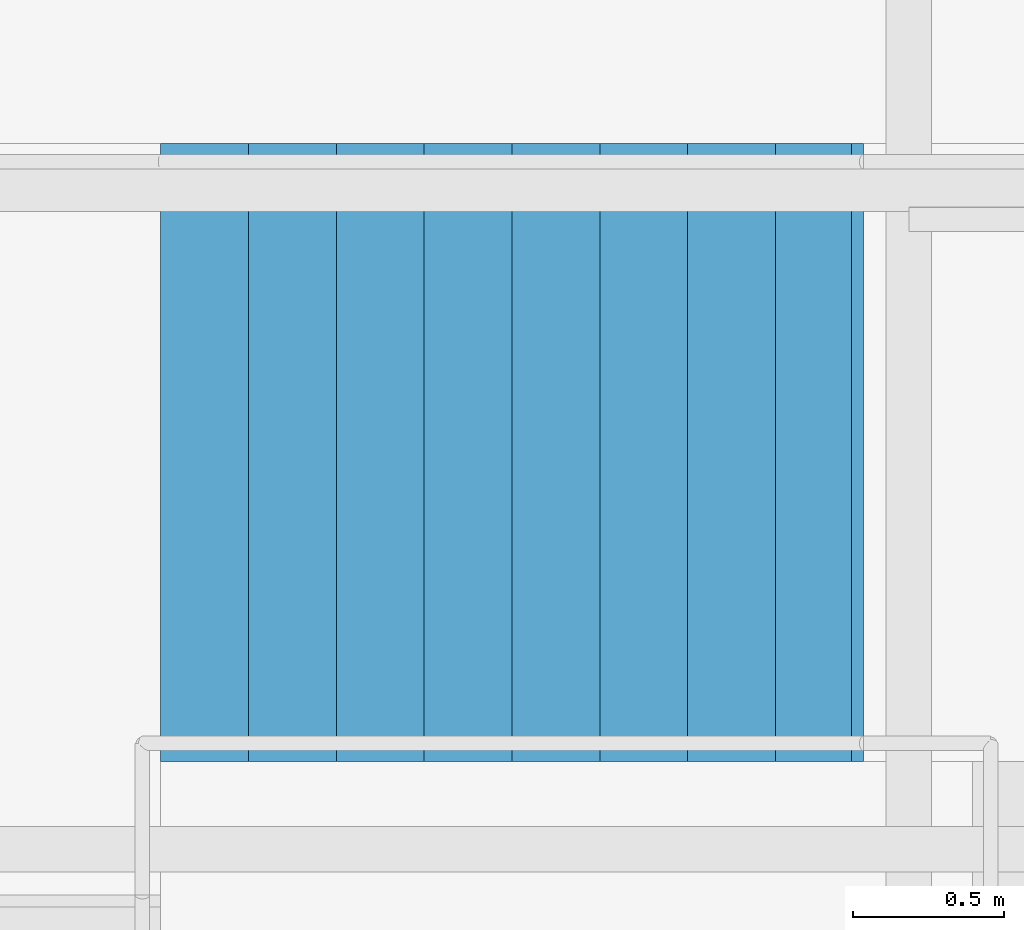
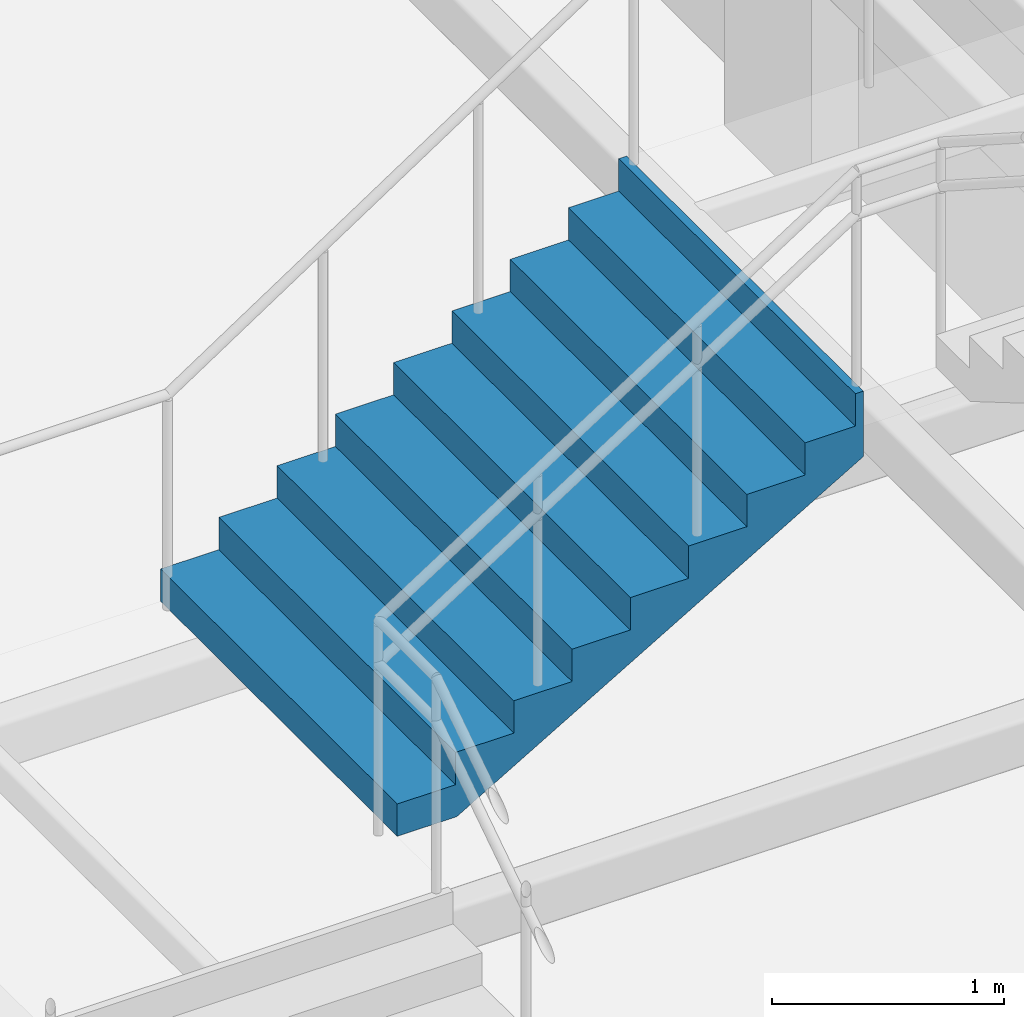
# One storey, part 67 of 69: 1 stair flight, 1 element without a shape of its own.
"""IFC4 building model written with IfcOpenShell, lengths in metres."""

from ifc_helpers import new_model, si_unit, direction, frame, origin, place, context, subcontext, project, spatial, triangles, material, type_object, element, aggregate, save


model = new_model("IFC4")

# Units and contexts
model_context = context("Model", 3, precision=1e-05, world=origin(), true_north=direction((0.0, 1.0)))
body_context = subcontext(model_context, "Body", "Model", "MODEL_VIEW")
ifc_project = project(units=[si_unit("LENGTHUNIT", "METRE"), si_unit("AREAUNIT", "SQUARE_METRE"), si_unit("VOLUMEUNIT", "CUBIC_METRE"), si_unit("PLANEANGLEUNIT", "RADIAN"), si_unit("MASSUNIT", "GRAM", prefix="KILO")], contexts=[model_context])

# Site, building, storey
site_placement = place(None, origin())
site = spatial("IfcSite", under=ifc_project, at=site_placement, CompositionType="ELEMENT")
building_placement = place(site_placement, origin())
building = spatial("IfcBuilding", under=site, at=building_placement, Name="Sillaruma Civic Art Gallery", CompositionType="ELEMENT")
storey_placement = place(building_placement, frame((0.0, 0.0, 42.330078125)))
storey = spatial("IfcBuildingStorey", under=building, at=storey_placement, Name="L08", CompositionType="ELEMENT", Elevation=42.330078125)

# Stair, stair flight
ifc_material = material(Name="Concrete H35 (35 MPa)", Category="concrete")
stair_type = type_object("IfcStairType", Name="STR-3F-27", PredefinedType="TWO_QUARTER_TURN_STAIR", material=ifc_material)
stair_placement = place(storey_placement, origin())
stair = element("IfcStair", 1, at=stair_placement, inside=storey, type_object=stair_type, Name="Monumental Gallery Feature Stair ST-G05 (L08)", PredefinedType="TWO_QUARTER_TURN_STAIR")
stair_flight_type = type_object("IfcStairFlightType", Name="SFL-STR-9", PredefinedType="STRAIGHT", material=ifc_material)
stair_flight_placement = place(storey_placement, frame((86.639892578125, 84.679931640625, 1.530029296875), z_axis=(0.0, 0.0, 1.0), x_axis=(1.0, 0.0, 0.0)))
stair_flight = element("IfcStairFlight", 2, at=stair_flight_placement, type_object=stair_flight_type, Name="ST-G05 flight 2", NumberOfRisers=9, NumberOfTreads=8, PredefinedType="STRAIGHT", RiserHeight=0.17, TreadLength=0.29, context=body_context, shape_type="Tessellation", body=[
    triangles([(0.0, -1.02001953125, 0.0), (0.29, -1.02001953125, 0.0), (0.296482, -1.02001953125, 0.0), (0.58, -1.02001953125, 0.1662), (0.87, -1.02001953125, 0.3362), (1.16, -1.02001953125, 0.5062), (1.45, -1.02001953125, 0.6762), (1.74, -1.02001953125, 0.8462), (2.03, -1.02001953125, 1.0162), (2.280068, -1.02001953125, 1.162792), (2.320068, -1.02001953125, 1.18624), (2.320068, -1.02001953125, 1.53), (2.280068, -1.02001953125, 1.53), (2.280068, -1.02001953125, 1.36), (2.03, -1.02001953125, 1.36), (2.03, -1.02001953125, 1.19), (1.74, -1.02001953125, 1.19), (1.74, -1.02001953125, 1.02), (1.45, -1.02001953125, 1.02), (1.45, -1.02001953125, 0.85), (1.16, -1.02001953125, 0.85), (1.16, -1.02001953125, 0.68), (0.87, -1.02001953125, 0.68), (0.87, -1.02001953125, 0.51), (0.58, -1.02001953125, 0.51), (0.58, -1.02001953125, 0.34), (0.296482, -1.02001953125, 0.34), (0.29, -1.02001953125, 0.34), (0.29, -1.02001953125, 0.17), (0.0, -1.02001953125, 0.17), (0.0, -0.05, 0.0), (0.29, -0.05, 0.0), (0.296482, -0.05, 0.0), (0.58, -0.05, 0.1662), (0.87, -0.05, 0.3362), (1.16, -0.05, 0.5062), (1.45, -0.05, 0.6762), (1.74, -0.05, 0.8462), (2.03, -0.05, 1.0162), (2.280068, -0.05, 1.162792), (2.320068, -0.05, 1.18624), (2.320068, -0.05, 1.53), (2.280068, -0.05, 1.53), (2.280068, -0.05, 1.36), (2.03, -0.05, 1.36), (2.03, -0.05, 1.19), (1.74, -0.05, 1.19), (1.74, -0.05, 1.02), (1.45, -0.05, 1.02), (1.45, -0.05, 0.85), (1.16, -0.05, 0.85), (1.16, -0.05, 0.68), (0.87, -0.05, 0.68), (0.87, -0.05, 0.51), (0.58, -0.05, 0.51), (0.58, -0.05, 0.34), (0.296482, -0.05, 0.34), (0.29, -0.05, 0.34), (0.29, -0.05, 0.17), (0.0, -0.05, 0.17), (0.0, -0.0375, 0.0), (0.29, -0.0375, 0.0), (0.296482, -0.0375, 0.0), (0.58, -0.0375, 0.1662), (0.87, -0.0375, 0.3362), (1.16, -0.0375, 0.5062), (1.45, -0.0375, 0.6762), (1.74, -0.0375, 0.8462), (2.03, -0.0375, 1.0162), (2.280068, -0.0375, 1.162792), (2.320068, -0.0375, 1.18624), (2.320068, -0.0375, 1.53), (2.280068, -0.0375, 1.53), (2.280068, -0.0375, 1.36), (2.03, -0.0375, 1.36), (2.03, -0.0375, 1.19), (1.74, -0.0375, 1.19), (1.74, -0.0375, 1.02), (1.45, -0.0375, 1.02), (1.45, -0.0375, 0.85), (1.16, -0.0375, 0.85), (1.16, -0.0375, 0.68), (0.87, -0.0375, 0.68), (0.87, -0.0375, 0.51), (0.58, -0.0375, 0.51), (0.58, -0.0375, 0.34), (0.296482, -0.0375, 0.34), (0.29, -0.0375, 0.34), (0.29, -0.0375, 0.17), (0.0, -0.0375, 0.17), (0.0, -0.025, 0.0), (0.29, -0.025, 0.0), (0.296482, -0.025, 0.0), (0.58, -0.025, 0.1662), (0.87, -0.025, 0.3362), (1.16, -0.025, 0.5062), (1.45, -0.025, 0.6762), (1.74, -0.025, 0.8462), (2.03, -0.025, 1.0162), (2.280068, -0.025, 1.162792), (2.320068, -0.025, 1.18624), (2.320068, -0.025, 1.53), (2.280068, -0.025, 1.53), (2.280068, -0.025, 1.36), (2.03, -0.025, 1.36), (2.03, -0.025, 1.19), (1.74, -0.025, 1.19), (1.74, -0.025, 1.02), (1.45, -0.025, 1.02), (1.45, -0.025, 0.85), (1.16, -0.025, 0.85), (1.16, -0.025, 0.68), (0.87, -0.025, 0.68), (0.87, -0.025, 0.51), (0.58, -0.025, 0.51), (0.58, -0.025, 0.34), (0.296482, -0.025, 0.34), (0.29, -0.025, 0.34), (0.29, -0.025, 0.17), (0.0, -0.025, 0.17), (0.0, -0.0125, 0.0), (0.29, -0.0125, 0.0), (0.296482, -0.0125, 0.0), (0.58, -0.0125, 0.1662), (0.87, -0.0125, 0.3362), (1.16, -0.0125, 0.5062), (1.45, -0.0125, 0.6762), (1.74, -0.0125, 0.8462), (2.03, -0.0125, 1.0162), (2.280068, -0.0125, 1.162792), (2.320068, -0.0125, 1.18624), (2.320068, -0.0125, 1.53), (2.280068, -0.0125, 1.53), (2.280068, -0.0125, 1.36), (2.03, -0.0125, 1.36), (2.03, -0.0125, 1.19), (1.74, -0.0125, 1.19), (1.74, -0.0125, 1.02), (1.45, -0.0125, 1.02), (1.45, -0.0125, 0.85), (1.16, -0.0125, 0.85), (1.16, -0.0125, 0.68), (0.87, -0.0125, 0.68), (0.87, -0.0125, 0.51), (0.58, -0.0125, 0.51), (0.58, -0.0125, 0.34), (0.296482, -0.0125, 0.34), (0.29, -0.0125, 0.34), (0.29, -0.0125, 0.17), (0.0, -0.0125, 0.17), (0.0, 0.0, 0.0), (0.29, 0.0, 0.0), (0.296482, 0.0, 0.0), (0.58, 0.0, 0.1662), (0.87, 0.0, 0.3362), (1.16, 0.0, 0.5062), (1.45, 0.0, 0.6762), (1.74, 0.0, 0.8462), (2.03, 0.0, 1.0162), (2.280068, 0.0, 1.162792), (2.320068, 0.0, 1.18624), (2.320068, 0.0, 1.53), (2.280068, 0.0, 1.53), (2.280068, 0.0, 1.36), (2.03, 0.0, 1.36), (2.03, 0.0, 1.19), (1.74, 0.0, 1.19), (1.74, 0.0, 1.02), (1.45, 0.0, 1.02), (1.45, 0.0, 0.85), (1.16, 0.0, 0.85), (1.16, 0.0, 0.68), (0.87, 0.0, 0.68), (0.87, 0.0, 0.51), (0.58, 0.0, 0.51), (0.58, 0.0, 0.34), (0.296482, 0.0, 0.34), (0.29, 0.0, 0.34), (0.29, 0.0, 0.17), (0.0, 0.0, 0.17), (0.0, 0.0125, 0.0), (0.29, 0.0125, 0.0), (0.296482, 0.0125, 0.0), (0.58, 0.0125, 0.1662), (0.87, 0.0125, 0.3362), (1.16, 0.0125, 0.5062), (1.45, 0.0125, 0.6762), (1.74, 0.0125, 0.8462), (2.03, 0.0125, 1.0162), (2.280068, 0.0125, 1.162792), (2.320068, 0.0125, 1.18624), (2.320068, 0.0125, 1.53), (2.280068, 0.0125, 1.53), (2.280068, 0.0125, 1.36), (2.03, 0.0125, 1.36), (2.03, 0.0125, 1.19), (1.74, 0.0125, 1.19), (1.74, 0.0125, 1.02), (1.45, 0.0125, 1.02), (1.45, 0.0125, 0.85), (1.16, 0.0125, 0.85), (1.16, 0.0125, 0.68), (0.87, 0.0125, 0.68), (0.87, 0.0125, 0.51), (0.58, 0.0125, 0.51), (0.58, 0.0125, 0.34), (0.296482, 0.0125, 0.34), (0.29, 0.0125, 0.34), (0.29, 0.0125, 0.17), (0.0, 0.0125, 0.17), (0.0, 0.025, 0.0), (0.29, 0.025, 0.0), (0.296482, 0.025, 0.0), (0.58, 0.025, 0.1662), (0.87, 0.025, 0.3362), (1.16, 0.025, 0.5062), (1.45, 0.025, 0.6762), (1.74, 0.025, 0.8462), (2.03, 0.025, 1.0162), (2.280068, 0.025, 1.162792), (2.320068, 0.025, 1.18624), (2.320068, 0.025, 1.53), (2.280068, 0.025, 1.53), (2.280068, 0.025, 1.36), (2.03, 0.025, 1.36), (2.03, 0.025, 1.19), (1.74, 0.025, 1.19), (1.74, 0.025, 1.02), (1.45, 0.025, 1.02), (1.45, 0.025, 0.85), (1.16, 0.025, 0.85), (1.16, 0.025, 0.68), (0.87, 0.025, 0.68), (0.87, 0.025, 0.51), (0.58, 0.025, 0.51), (0.58, 0.025, 0.34), (0.296482, 0.025, 0.34), (0.29, 0.025, 0.34), (0.29, 0.025, 0.17), (0.0, 0.025, 0.17), (0.0, 0.0375, 0.0), (0.29, 0.0375, 0.0), (0.296482, 0.0375, 0.0), (0.58, 0.0375, 0.1662), (0.87, 0.0375, 0.3362), (1.16, 0.0375, 0.5062), (1.45, 0.0375, 0.6762), (1.74, 0.0375, 0.8462), (2.03, 0.0375, 1.0162), (2.280068, 0.0375, 1.162792), (2.320068, 0.0375, 1.18624), (2.320068, 0.0375, 1.53), (2.280068, 0.0375, 1.53), (2.280068, 0.0375, 1.36), (2.03, 0.0375, 1.36), (2.03, 0.0375, 1.19), (1.74, 0.0375, 1.19), (1.74, 0.0375, 1.02), (1.45, 0.0375, 1.02), (1.45, 0.0375, 0.85), (1.16, 0.0375, 0.85), (1.16, 0.0375, 0.68), (0.87, 0.0375, 0.68), (0.87, 0.0375, 0.51), (0.58, 0.0375, 0.51), (0.58, 0.0375, 0.34), (0.296482, 0.0375, 0.34), (0.29, 0.0375, 0.34), (0.29, 0.0375, 0.17), (0.0, 0.0375, 0.17), (0.0, 0.05, 0.0), (0.29, 0.05, 0.0), (0.296482, 0.05, 0.0), (0.58, 0.05, 0.1662), (0.87, 0.05, 0.3362), (1.16, 0.05, 0.5062), (1.45, 0.05, 0.6762), (1.74, 0.05, 0.8462), (2.03, 0.05, 1.0162), (2.280068, 0.05, 1.162792), (2.320068, 0.05, 1.18624), (2.320068, 0.05, 1.53), (2.280068, 0.05, 1.53), (2.280068, 0.05, 1.36), (2.03, 0.05, 1.36), (2.03, 0.05, 1.19), (1.74, 0.05, 1.19), (1.74, 0.05, 1.02), (1.45, 0.05, 1.02), (1.45, 0.05, 0.85), (1.16, 0.05, 0.85), (1.16, 0.05, 0.68), (0.87, 0.05, 0.68), (0.87, 0.05, 0.51), (0.58, 0.05, 0.51), (0.58, 0.05, 0.34), (0.296482, 0.05, 0.34), (0.29, 0.05, 0.34), (0.29, 0.05, 0.17), (0.0, 0.05, 0.17), (0.0, 1.02001953125, 0.0), (0.29, 1.02001953125, 0.0), (0.296482, 1.02001953125, 0.0), (0.58, 1.02001953125, 0.1662), (0.87, 1.02001953125, 0.3362), (1.16, 1.02001953125, 0.5062), (1.45, 1.02001953125, 0.6762), (1.74, 1.02001953125, 0.8462), (2.03, 1.02001953125, 1.0162), (2.280068, 1.02001953125, 1.162792), (2.320068, 1.02001953125, 1.18624), (2.320068, 1.02001953125, 1.53), (2.280068, 1.02001953125, 1.53), (2.280068, 1.02001953125, 1.36), (2.03, 1.02001953125, 1.36), (2.03, 1.02001953125, 1.19), (1.74, 1.02001953125, 1.19), (1.74, 1.02001953125, 1.02), (1.45, 1.02001953125, 1.02), (1.45, 1.02001953125, 0.85), (1.16, 1.02001953125, 0.85), (1.16, 1.02001953125, 0.68), (0.87, 1.02001953125, 0.68), (0.87, 1.02001953125, 0.51), (0.58, 1.02001953125, 0.51), (0.58, 1.02001953125, 0.34), (0.296482, 1.02001953125, 0.34), (0.29, 1.02001953125, 0.34), (0.29, 1.02001953125, 0.17), (0.0, 1.02001953125, 0.17)], [[1, 2, 29], [1, 29, 30], [2, 3, 27], [2, 27, 29], [29, 27, 28], [3, 4, 26], [3, 26, 27], [4, 5, 24], [4, 24, 26], [26, 24, 25], [5, 6, 22], [5, 22, 24], [24, 22, 23], [6, 7, 20], [6, 20, 22], [22, 20, 21], [7, 8, 18], [7, 18, 20], [20, 18, 19], [8, 9, 16], [8, 16, 18], [18, 16, 17], [9, 10, 14], [9, 14, 16], [16, 14, 15], [10, 11, 12], [10, 12, 14], [14, 12, 13], [329, 302, 301], [330, 329, 301], [327, 303, 302], [329, 327, 302], [328, 327, 329], [326, 304, 303], [327, 326, 303], [324, 305, 304], [326, 324, 304], [325, 324, 326], [322, 306, 305], [324, 322, 305], [323, 322, 324], [320, 307, 306], [322, 320, 306], [321, 320, 322], [318, 308, 307], [320, 318, 307], [319, 318, 320], [316, 309, 308], [318, 316, 308], [317, 316, 318], [314, 310, 309], [316, 314, 309], [315, 314, 316], [312, 311, 310], [314, 312, 310], [313, 312, 314], [2, 1, 31], [2, 31, 32], [3, 2, 32], [3, 32, 33], [4, 3, 33], [4, 33, 34], [5, 4, 34], [5, 34, 35], [6, 5, 35], [6, 35, 36], [7, 6, 36], [7, 36, 37], [8, 7, 37], [8, 37, 38], [9, 8, 38], [9, 38, 39], [10, 9, 39], [10, 39, 40], [11, 10, 40], [11, 40, 41], [12, 11, 41], [12, 41, 42], [13, 12, 42], [13, 42, 43], [14, 13, 43], [14, 43, 44], [15, 14, 44], [15, 44, 45], [16, 15, 45], [16, 45, 46], [17, 16, 46], [17, 46, 47], [18, 17, 47], [18, 47, 48], [19, 18, 48], [19, 48, 49], [20, 19, 49], [20, 49, 50], [21, 20, 50], [21, 50, 51], [22, 21, 51], [22, 51, 52], [23, 22, 52], [23, 52, 53], [24, 23, 53], [24, 53, 54], [25, 24, 54], [25, 54, 55], [26, 25, 55], [26, 55, 56], [27, 26, 56], [27, 56, 57], [28, 27, 57], [28, 57, 58], [29, 28, 58], [29, 58, 59], [30, 29, 59], [30, 59, 60], [1, 30, 60], [1, 60, 31], [32, 31, 61], [32, 61, 62], [33, 32, 62], [33, 62, 63], [34, 33, 63], [34, 63, 64], [35, 34, 64], [35, 64, 65], [36, 35, 65], [36, 65, 66], [37, 36, 66], [37, 66, 67], [38, 37, 67], [38, 67, 68], [39, 38, 68], [39, 68, 69], [40, 39, 69], [40, 69, 70], [41, 40, 70], [41, 70, 71], [42, 41, 71], [42, 71, 72], [43, 42, 72], [43, 72, 73], [44, 43, 73], [44, 73, 74], [45, 44, 74], [45, 74, 75], [46, 45, 75], [46, 75, 76], [47, 46, 76], [47, 76, 77], [48, 47, 77], [48, 77, 78], [49, 48, 78], [49, 78, 79], [50, 49, 79], [50, 79, 80], [51, 50, 80], [51, 80, 81], [52, 51, 81], [52, 81, 82], [53, 52, 82], [53, 82, 83], [54, 53, 83], [54, 83, 84], [55, 54, 84], [55, 84, 85], [56, 55, 85], [56, 85, 86], [57, 56, 86], [57, 86, 87], [58, 57, 87], [58, 87, 88], [59, 58, 88], [59, 88, 89], [60, 59, 89], [60, 89, 90], [31, 60, 90], [31, 90, 61], [62, 61, 91], [62, 91, 92], [63, 62, 92], [63, 92, 93], [64, 63, 93], [64, 93, 94], [65, 64, 94], [65, 94, 95], [66, 65, 95], [66, 95, 96], [67, 66, 96], [67, 96, 97], [68, 67, 97], [68, 97, 98], [69, 68, 98], [69, 98, 99], [70, 69, 99], [70, 99, 100], [71, 70, 100], [71, 100, 101], [72, 71, 101], [72, 101, 102], [73, 72, 102], [73, 102, 103], [74, 73, 103], [74, 103, 104], [75, 74, 104], [75, 104, 105], [76, 75, 105], [76, 105, 106], [77, 76, 106], [77, 106, 107], [78, 77, 107], [78, 107, 108], [79, 78, 108], [79, 108, 109], [80, 79, 109], [80, 109, 110], [81, 80, 110], [81, 110, 111], [82, 81, 111], [82, 111, 112], [83, 82, 112], [83, 112, 113], [84, 83, 113], [84, 113, 114], [85, 84, 114], [85, 114, 115], [86, 85, 115], [86, 115, 116], [87, 86, 116], [87, 116, 117], [88, 87, 117], [88, 117, 118], [89, 88, 118], [89, 118, 119], [90, 89, 119], [90, 119, 120], [61, 90, 120], [61, 120, 91], [92, 91, 121], [92, 121, 122], [93, 92, 122], [93, 122, 123], [94, 93, 123], [94, 123, 124], [95, 94, 124], [95, 124, 125], [96, 95, 125], [96, 125, 126], [97, 96, 126], [97, 126, 127], [98, 97, 127], [98, 127, 128], [99, 98, 128], [99, 128, 129], [100, 99, 129], [100, 129, 130], [101, 100, 130], [101, 130, 131], [102, 101, 131], [102, 131, 132], [103, 102, 132], [103, 132, 133], [104, 103, 133], [104, 133, 134], [105, 104, 134], [105, 134, 135], [106, 105, 135], [106, 135, 136], [107, 106, 136], [107, 136, 137], [108, 107, 137], [108, 137, 138], [109, 108, 138], [109, 138, 139], [110, 109, 139], [110, 139, 140], [111, 110, 140], [111, 140, 141], [112, 111, 141], [112, 141, 142], [113, 112, 142], [113, 142, 143], [114, 113, 143], [114, 143, 144], [115, 114, 144], [115, 144, 145], [116, 115, 145], [116, 145, 146], [117, 116, 146], [117, 146, 147], [118, 117, 147], [118, 147, 148], [119, 118, 148], [119, 148, 149], [120, 119, 149], [120, 149, 150], [91, 120, 150], [91, 150, 121], [122, 121, 151], [122, 151, 152], [123, 122, 152], [123, 152, 153], [124, 123, 153], [124, 153, 154], [125, 124, 154], [125, 154, 155], [126, 125, 155], [126, 155, 156], [127, 126, 156], [127, 156, 157], [128, 127, 157], [128, 157, 158], [129, 128, 158], [129, 158, 159], [130, 129, 159], [130, 159, 160], [131, 130, 160], [131, 160, 161], [132, 131, 161], [132, 161, 162], [133, 132, 162], [133, 162, 163], [134, 133, 163], [134, 163, 164], [135, 134, 164], [135, 164, 165], [136, 135, 165], [136, 165, 166], [137, 136, 166], [137, 166, 167], [138, 137, 167], [138, 167, 168], [139, 138, 168], [139, 168, 169], [140, 139, 169], [140, 169, 170], [141, 140, 170], [141, 170, 171], [142, 141, 171], [142, 171, 172], [143, 142, 172], [143, 172, 173], [144, 143, 173], [144, 173, 174], [145, 144, 174], [145, 174, 175], [146, 145, 175], [146, 175, 176], [147, 146, 176], [147, 176, 177], [148, 147, 177], [148, 177, 178], [149, 148, 178], [149, 178, 179], [150, 149, 179], [150, 179, 180], [121, 150, 180], [121, 180, 151], [152, 151, 181], [152, 181, 182], [153, 152, 182], [153, 182, 183], [154, 153, 183], [154, 183, 184], [155, 154, 184], [155, 184, 185], [156, 155, 185], [156, 185, 186], [157, 156, 186], [157, 186, 187], [158, 157, 187], [158, 187, 188], [159, 158, 188], [159, 188, 189], [160, 159, 189], [160, 189, 190], [161, 160, 190], [161, 190, 191], [162, 161, 191], [162, 191, 192], [163, 162, 192], [163, 192, 193], [164, 163, 193], [164, 193, 194], [165, 164, 194], [165, 194, 195], [166, 165, 195], [166, 195, 196], [167, 166, 196], [167, 196, 197], [168, 167, 197], [168, 197, 198], [169, 168, 198], [169, 198, 199], [170, 169, 199], [170, 199, 200], [171, 170, 200], [171, 200, 201], [172, 171, 201], [172, 201, 202], [173, 172, 202], [173, 202, 203], [174, 173, 203], [174, 203, 204], [175, 174, 204], [175, 204, 205], [176, 175, 205], [176, 205, 206], [177, 176, 206], [177, 206, 207], [178, 177, 207], [178, 207, 208], [179, 178, 208], [179, 208, 209], [180, 179, 209], [180, 209, 210], [151, 180, 210], [151, 210, 181], [182, 181, 211], [182, 211, 212], [183, 182, 212], [183, 212, 213], [184, 183, 213], [184, 213, 214], [185, 184, 214], [185, 214, 215], [186, 185, 215], [186, 215, 216], [187, 186, 216], [187, 216, 217], [188, 187, 217], [188, 217, 218], [189, 188, 218], [189, 218, 219], [190, 189, 219], [190, 219, 220], [191, 190, 220], [191, 220, 221], [192, 191, 221], [192, 221, 222], [193, 192, 222], [193, 222, 223], [194, 193, 223], [194, 223, 224], [195, 194, 224], [195, 224, 225], [196, 195, 225], [196, 225, 226], [197, 196, 226], [197, 226, 227], [198, 197, 227], [198, 227, 228], [199, 198, 228], [199, 228, 229], [200, 199, 229], [200, 229, 230], [201, 200, 230], [201, 230, 231], [202, 201, 231], [202, 231, 232], [203, 202, 232], [203, 232, 233], [204, 203, 233], [204, 233, 234], [205, 204, 234], [205, 234, 235], [206, 205, 235], [206, 235, 236], [207, 206, 236], [207, 236, 237], [208, 207, 237], [208, 237, 238], [209, 208, 238], [209, 238, 239], [210, 209, 239], [210, 239, 240], [181, 210, 240], [181, 240, 211], [212, 211, 241], [212, 241, 242], [213, 212, 242], [213, 242, 243], [214, 213, 243], [214, 243, 244], [215, 214, 244], [215, 244, 245], [216, 215, 245], [216, 245, 246], [217, 216, 246], [217, 246, 247], [218, 217, 247], [218, 247, 248], [219, 218, 248], [219, 248, 249], [220, 219, 249], [220, 249, 250], [221, 220, 250], [221, 250, 251], [222, 221, 251], [222, 251, 252], [223, 222, 252], [223, 252, 253], [224, 223, 253], [224, 253, 254], [225, 224, 254], [225, 254, 255], [226, 225, 255], [226, 255, 256], [227, 226, 256], [227, 256, 257], [228, 227, 257], [228, 257, 258], [229, 228, 258], [229, 258, 259], [230, 229, 259], [230, 259, 260], [231, 230, 260], [231, 260, 261], [232, 231, 261], [232, 261, 262], [233, 232, 262], [233, 262, 263], [234, 233, 263], [234, 263, 264], [235, 234, 264], [235, 264, 265], [236, 235, 265], [236, 265, 266], [237, 236, 266], [237, 266, 267], [238, 237, 267], [238, 267, 268], [239, 238, 268], [239, 268, 269], [240, 239, 269], [240, 269, 270], [211, 240, 270], [211, 270, 241], [242, 241, 271], [242, 271, 272], [243, 242, 272], [243, 272, 273], [244, 243, 273], [244, 273, 274], [245, 244, 274], [245, 274, 275], [246, 245, 275], [246, 275, 276], [247, 246, 276], [247, 276, 277], [248, 247, 277], [248, 277, 278], [249, 248, 278], [249, 278, 279], [250, 249, 279], [250, 279, 280], [251, 250, 280], [251, 280, 281], [252, 251, 281], [252, 281, 282], [253, 252, 282], [253, 282, 283], [254, 253, 283], [254, 283, 284], [255, 254, 284], [255, 284, 285], [256, 255, 285], [256, 285, 286], [257, 256, 286], [257, 286, 287], [258, 257, 287], [258, 287, 288], [259, 258, 288], [259, 288, 289], [260, 259, 289], [260, 289, 290], [261, 260, 290], [261, 290, 291], [262, 261, 291], [262, 291, 292], [263, 262, 292], [263, 292, 293], [264, 263, 293], [264, 293, 294], [265, 264, 294], [265, 294, 295], [266, 265, 295], [266, 295, 296], [267, 266, 296], [267, 296, 297], [268, 267, 297], [268, 297, 298], [269, 268, 298], [269, 298, 299], [270, 269, 299], [270, 299, 300], [241, 270, 300], [241, 300, 271], [272, 271, 301], [272, 301, 302], [273, 272, 302], [273, 302, 303], [274, 273, 303], [274, 303, 304], [275, 274, 304], [275, 304, 305], [276, 275, 305], [276, 305, 306], [277, 276, 306], [277, 306, 307], [278, 277, 307], [278, 307, 308], [279, 278, 308], [279, 308, 309], [280, 279, 309], [280, 309, 310], [281, 280, 310], [281, 310, 311], [282, 281, 311], [282, 311, 312], [283, 282, 312], [283, 312, 313], [284, 283, 313], [284, 313, 314], [285, 284, 314], [285, 314, 315], [286, 285, 315], [286, 315, 316], [287, 286, 316], [287, 316, 317], [288, 287, 317], [288, 317, 318], [289, 288, 318], [289, 318, 319], [290, 289, 319], [290, 319, 320], [291, 290, 320], [291, 320, 321], [292, 291, 321], [292, 321, 322], [293, 292, 322], [293, 322, 323], [294, 293, 323], [294, 323, 324], [295, 294, 324], [295, 324, 325], [296, 295, 325], [296, 325, 326], [297, 296, 326], [297, 326, 327], [298, 297, 327], [298, 327, 328], [299, 298, 328], [299, 328, 329], [300, 299, 329], [300, 329, 330], [271, 300, 330], [271, 330, 301]], closed=True),
])
aggregate(stair, [stair_flight])

save(model, "model.ifc")
